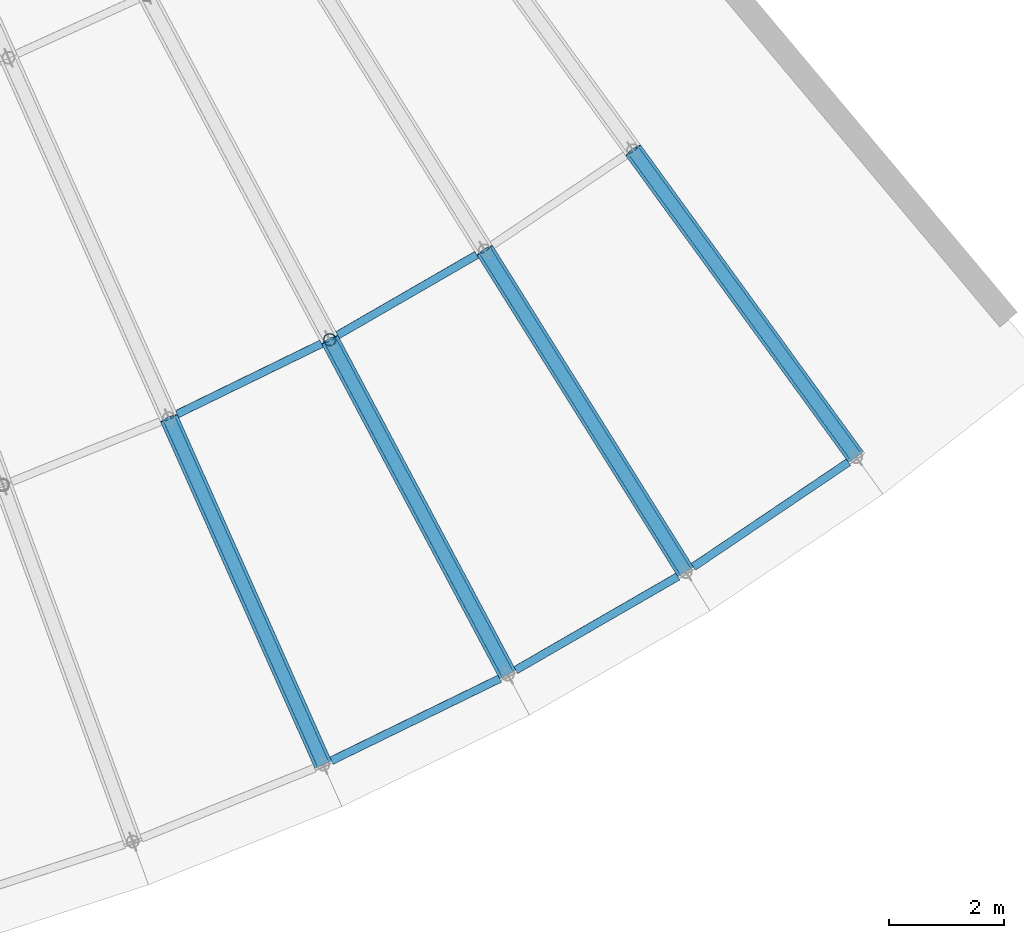
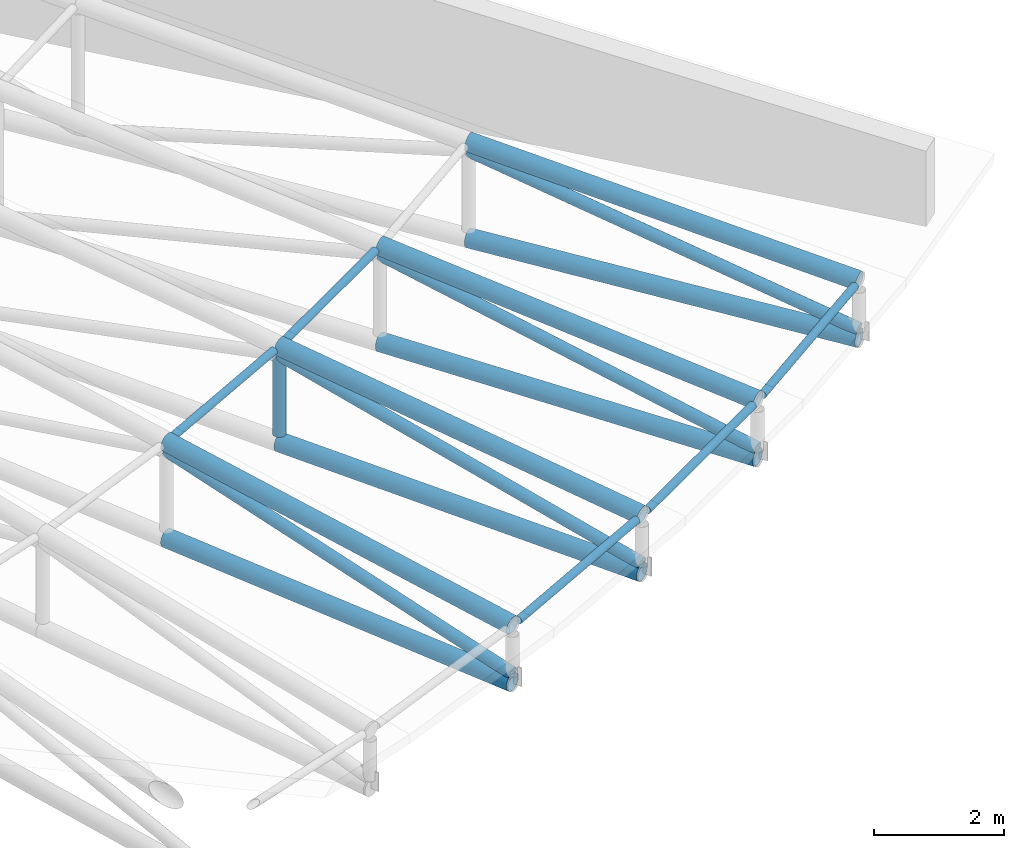
# One storey, part 29 of 163: 18 members.
"""IFC4 building model written with IfcOpenShell, lengths in metres."""

from ifc_helpers import new_model, si_unit, direction, frame, origin, origin_2d, place, context, subcontext, project, spatial, hollow_circle, extrude, material, material_profile, profile_set, type_object, element, save


model = new_model("IFC4")

# Units and contexts
model_context = context("Model", 3, precision=1e-05, world=origin(), true_north=direction((0.0, 1.0)))
body_context = subcontext(model_context, "Body", "Model", "MODEL_VIEW")
ifc_project = project(units=[si_unit("LENGTHUNIT", "METRE"), si_unit("AREAUNIT", "SQUARE_METRE"), si_unit("VOLUMEUNIT", "CUBIC_METRE"), si_unit("PLANEANGLEUNIT", "RADIAN"), si_unit("MASSUNIT", "GRAM", prefix="KILO")], contexts=[model_context])

# Site, building, storey
site_placement = place(None, origin())
site = spatial("IfcSite", under=ifc_project, at=site_placement, CompositionType="ELEMENT")
building_placement = place(site_placement, origin())
building = spatial("IfcBuilding", under=site, at=building_placement, Name="Rain Tree Exposition and Congress Centre", CompositionType="ELEMENT")
storey_placement = place(building_placement, frame((0.0, 0.0, 10.5)))
storey = spatial("IfcBuildingStorey", under=building, at=storey_placement, Name="L02", CompositionType="ELEMENT", Elevation=10.5)

# Members
ifc_material_1 = material(Name="Steel S355J2H", Category="steel")
ifc_material_profile_1 = material_profile(ifc_material_1, hollow_circle(Radius=0.108154296875, WallThickness=0.008056640625, at=origin_2d()), Name="CHS 216x8")
ifc_profile_set_1 = profile_set([ifc_material_profile_1], Name="Steel S355J2H")
member_type_1 = type_object("IfcMemberType", Name="Steel brace member CHS 216x8", PredefinedType="BRACE", material=ifc_profile_set_1)
member_1_placement = place(storey_placement, frame((222.4248046875, 20.426513671875, 0.318603515625), z_axis=(-0.396715149612, 0.891066606168, 0.220493522445), x_axis=(-0.913550510459, -0.406725294076, 0.0)))
element("IfcMember", 1, at=member_1_placement, inside=storey, type_object=member_type_1, Name="TD16-1", PredefinedType="BRACE", context=body_context, shape_type="SweptSolid", body=[
    extrude(hollow_circle(Radius=0.108154296875, WallThickness=0.008056640625, at=origin_2d()), origin(), (0.0, 0.0, 1.0), 6.766357421875),
])
member_2_placement = place(storey_placement, frame((225.636962890625, 21.9931640625, 0.318603515625), z_axis=(-0.457935298781, 0.861208449938, 0.220488702399), x_axis=(-0.882937969766, -0.469489660743, 0.0)))
element("IfcMember", 2, at=member_2_placement, inside=storey, type_object=member_type_1, Name="TD17-1", PredefinedType="BRACE", context=body_context, shape_type="SweptSolid", body=[
    extrude(hollow_circle(Radius=0.108154296875, WallThickness=0.008056640625, at=origin_2d()), origin(), (0.0, 0.0, 1.0), 6.7666015625),
])
member_3_placement = place(storey_placement, frame((228.73193359375, 23.77978515625, 0.318603515625), z_axis=(-0.516868978035, 0.827185191917, 0.220479291133), x_axis=(-0.848054406666, -0.529909165172, 0.0)))
element("IfcMember", 3, at=member_3_placement, inside=storey, type_object=member_type_1, Name="TD18-1", PredefinedType="BRACE", context=body_context, shape_type="SweptSolid", body=[
    extrude(hollow_circle(Radius=0.108154296875, WallThickness=0.008056640625, at=origin_2d()), origin(), (0.0, 0.0, 1.0), 6.766845703125),
])
member_4_placement = place(storey_placement, frame((231.694580078125, 25.7783203125, 0.318603515625), z_axis=(-0.573314901172, 0.789110774294, 0.220486303402), x_axis=(-0.809020716943, -0.587780128583, 0.0)))
element("IfcMember", 4, at=member_4_placement, inside=storey, type_object=member_type_1, Name="TD19-1", PredefinedType="BRACE", context=body_context, shape_type="SweptSolid", body=[
    extrude(hollow_circle(Radius=0.108154296875, WallThickness=0.008056640625, at=origin_2d()), origin(), (0.0, 0.0, 1.0), 6.7666015625),
])
ifc_material_2 = material(Name="Steel S355J2H", Category="steel")
ifc_material_profile_2 = material_profile(ifc_material_2, hollow_circle(Radius=0.1591796875, WallThickness=0.010009765625, at=origin_2d()), Name="CHS 318x10")
ifc_profile_set_2 = profile_set([ifc_material_profile_2], Name="Steel S355J2H")
member_type_2 = type_object("IfcMemberType", Name="Steel chord member CHS 318x10", PredefinedType="CHORD", material=ifc_profile_set_2)
member_5_placement = place(storey_placement, frame((222.4248046875, 20.426513671875, 0.1591796875), z_axis=(-0.406725294076, 0.913550510459, 0.0), x_axis=(-0.913550510459, -0.406725294076, 0.0)))
element("IfcMember", 5, at=member_5_placement, inside=storey, type_object=member_type_2, Name="TC16-1", PredefinedType="CHORD", context=body_context, shape_type="SweptSolid", body=[
    extrude(hollow_circle(Radius=0.1591796875, WallThickness=0.010009765625, at=origin_2d()), origin(), (0.0, 0.0, 1.0), 6.599853515625),
])
member_6_placement = place(storey_placement, frame((222.4248046875, 20.426513671875, 1.22900390625), z_axis=(-0.404176012506, 0.907824538867, 0.111787108143), x_axis=(-0.913550510459, -0.406725294076, 0.0)))
element("IfcMember", 6, at=member_6_placement, inside=storey, type_object=member_type_2, Name="TT16-1", PredefinedType="CHORD", context=body_context, shape_type="SweptSolid", body=[
    extrude(hollow_circle(Radius=0.1591796875, WallThickness=0.010009765625, at=origin_2d()), origin(), (0.0, 0.0, 1.0), 6.641357421875),
])
member_7_placement = place(storey_placement, frame((225.636962890625, 21.9931640625, 0.1591796875), z_axis=(-0.469489660743, 0.882937969766, 0.0), x_axis=(-0.882937969766, -0.469489660743, 0.0)))
element("IfcMember", 7, at=member_7_placement, inside=storey, type_object=member_type_2, Name="TC17-1", PredefinedType="CHORD", context=body_context, shape_type="SweptSolid", body=[
    extrude(hollow_circle(Radius=0.1591796875, WallThickness=0.010009765625, at=origin_2d()), origin(), (0.0, 0.0, 1.0), 6.60009765625),
])
member_8_placement = place(storey_placement, frame((225.636962890625, 21.9931640625, 1.22900390625), z_axis=(-0.466547117281, 0.877404124046, 0.111784571671), x_axis=(-0.882937969766, -0.469489660743, 0.0)))
element("IfcMember", 8, at=member_8_placement, inside=storey, type_object=member_type_2, Name="TT17-1", PredefinedType="CHORD", context=body_context, shape_type="SweptSolid", body=[
    extrude(hollow_circle(Radius=0.1591796875, WallThickness=0.010009765625, at=origin_2d()), origin(), (0.0, 0.0, 1.0), 6.6416015625),
])
member_9_placement = place(storey_placement, frame((228.73193359375, 23.77978515625, 0.1591796875), z_axis=(-0.529909165172, 0.848054406666, 0.0), x_axis=(-0.848054406666, -0.529909165172, 0.0)))
element("IfcMember", 9, at=member_9_placement, inside=storey, type_object=member_type_2, Name="TC18-1", PredefinedType="CHORD", context=body_context, shape_type="SweptSolid", body=[
    extrude(hollow_circle(Radius=0.1591796875, WallThickness=0.010009765625, at=origin_2d()), origin(), (0.0, 0.0, 1.0), 6.600341796875),
])
member_10_placement = place(storey_placement, frame((228.73193359375, 23.77978515625, 1.22900390625), z_axis=(-0.526588235486, 0.842739667387, 0.111779619162), x_axis=(-0.848054406666, -0.529909165172, 0.0)))
element("IfcMember", 10, at=member_10_placement, inside=storey, type_object=member_type_2, Name="TT18-1", PredefinedType="CHORD", context=body_context, shape_type="SweptSolid", body=[
    extrude(hollow_circle(Radius=0.1591796875, WallThickness=0.010009765625, at=origin_2d()), origin(), (0.0, 0.0, 1.0), 6.641845703125),
])
member_11_placement = place(storey_placement, frame((231.694580078125, 25.7783203125, 0.1591796875), z_axis=(-0.587780128583, 0.809020716943, 0.0), x_axis=(-0.809020716943, -0.587780128583, 0.0)))
element("IfcMember", 11, at=member_11_placement, inside=storey, type_object=member_type_2, Name="TC19-1", PredefinedType="CHORD", context=body_context, shape_type="SweptSolid", body=[
    extrude(hollow_circle(Radius=0.1591796875, WallThickness=0.010009765625, at=origin_2d()), origin(), (0.0, 0.0, 1.0), 6.60009765625),
])
member_12_placement = place(storey_placement, frame((231.694580078125, 25.7783203125, 1.22900390625), z_axis=(-0.584096278798, 0.803950265172, 0.11178330924), x_axis=(-0.809020716943, -0.587780128583, 0.0)))
element("IfcMember", 12, at=member_12_placement, inside=storey, type_object=member_type_2, Name="TT19-1", PredefinedType="CHORD", context=body_context, shape_type="SweptSolid", body=[
    extrude(hollow_circle(Radius=0.1591796875, WallThickness=0.010009765625, at=origin_2d()), origin(), (0.0, 0.0, 1.0), 6.6416015625),
])
ifc_material_3 = material(Name="Steel S355J2H", Category="steel")
ifc_material_profile_3 = material_profile(ifc_material_3, hollow_circle(Radius=0.108154296875, WallThickness=0.008056640625, at=origin_2d()), Name="CHS 216x8")
ifc_profile_set_3 = profile_set([ifc_material_profile_3], Name="Steel S355J2H")
member_type_3 = type_object("IfcMemberType", Name="Steel post member CHS 216x8", PredefinedType="POST", material=ifc_profile_set_3)
member_13_placement = place(storey_placement, frame((222.538330078125, 27.820556640625, 0.318603515625), z_axis=(0.0, 0.0, 1.0), x_axis=(1.0, 0.0, 0.0)))
element("IfcMember", 13, at=member_13_placement, inside=storey, type_object=member_type_3, Name="TP17-1", PredefinedType="POST", context=body_context, shape_type="SweptSolid", body=[
    extrude(hollow_circle(Radius=0.108154296875, WallThickness=0.008056640625, at=origin_2d()), origin(), (0.0, 0.0, 1.0), 1.491943359375),
])
ifc_material_4 = material(Name="Steel S355J2H", Category="steel")
ifc_material_profile_4 = material_profile(ifc_material_4, hollow_circle(Radius=0.06982421875, WallThickness=0.0048828125, at=origin_2d()), Name="CHS 140x5")
ifc_profile_set_4 = profile_set([ifc_material_profile_4], Name="Steel S355J2H")
member_type_4 = type_object("IfcMemberType", Name="Steel purlin member CHS 140x5", PredefinedType="PURLIN", material=ifc_profile_set_4)
member_14_placement = place(storey_placement, frame((222.568115234375, 20.496337890625, 1.22900390625), z_axis=(0.898779258133, 0.438401465725, 0.0), x_axis=(-0.438401465725, 0.898779258133, 0.0)))
element("IfcMember", 14, at=member_14_placement, inside=storey, type_object=member_type_4, Name="PU16-0", PredefinedType="PURLIN", context=body_context, shape_type="SweptSolid", body=[
    extrude(hollow_circle(Radius=0.06982421875, WallThickness=0.0048828125, at=origin_2d()), origin(), (0.0, 0.0, 1.0), 3.255126953125),
])
member_15_placement = place(storey_placement, frame((219.8837890625, 26.525634765625, 1.971435546875), z_axis=(0.898770125013, 0.438420189299, 0.0), x_axis=(-0.438420189299, 0.898770125013, 0.0)))
element("IfcMember", 15, at=member_15_placement, inside=storey, type_object=member_type_4, Name="PU16-1", PredefinedType="PURLIN", context=body_context, shape_type="SweptSolid", body=[
    extrude(hollow_circle(Radius=0.06982421875, WallThickness=0.0048828125, at=origin_2d()), origin(), (0.0, 0.0, 1.0), 2.79443359375),
])
member_16_placement = place(storey_placement, frame((225.77490234375, 22.07275390625, 1.22900390625), z_axis=(0.866046953215, 0.499962673433, 0.0), x_axis=(-0.499962673433, 0.866046953215, 0.0)))
element("IfcMember", 16, at=member_16_placement, inside=storey, type_object=member_type_4, Name="PU17-0", PredefinedType="PURLIN", context=body_context, shape_type="SweptSolid", body=[
    extrude(hollow_circle(Radius=0.06982421875, WallThickness=0.0048828125, at=origin_2d()), origin(), (0.0, 0.0, 1.0), 3.255126953125),
])
member_17_placement = place(storey_placement, frame((222.676513671875, 27.900146484375, 1.971435546875), z_axis=(0.866013897511, 0.50001992892, 0.0), x_axis=(-0.50001992892, 0.866013897511, 0.0)))
element("IfcMember", 17, at=member_17_placement, inside=storey, type_object=member_type_4, Name="PU17-1", PredefinedType="PURLIN", context=body_context, shape_type="SweptSolid", body=[
    extrude(hollow_circle(Radius=0.06982421875, WallThickness=0.0048828125, at=origin_2d()), origin(), (0.0, 0.0, 1.0), 2.79443359375),
])
member_18_placement = place(storey_placement, frame((228.864013671875, 23.868896484375, 1.22900390625), z_axis=(0.829014714642, 0.559226790226, 0.0), x_axis=(-0.559226790226, 0.829014714642, 0.0)))
element("IfcMember", 18, at=member_18_placement, inside=storey, type_object=member_type_4, Name="PU18-0", PredefinedType="PURLIN", context=body_context, shape_type="SweptSolid", body=[
    extrude(hollow_circle(Radius=0.06982421875, WallThickness=0.0048828125, at=origin_2d()), origin(), (0.0, 0.0, 1.0), 3.255126953125),
])

save(model, "model.ifc")
